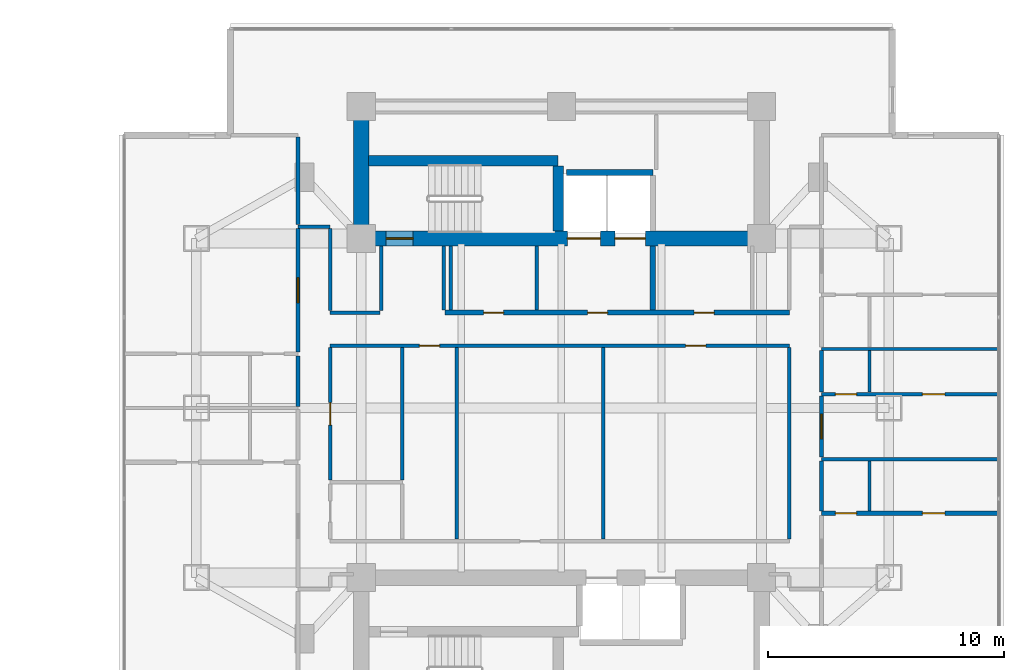
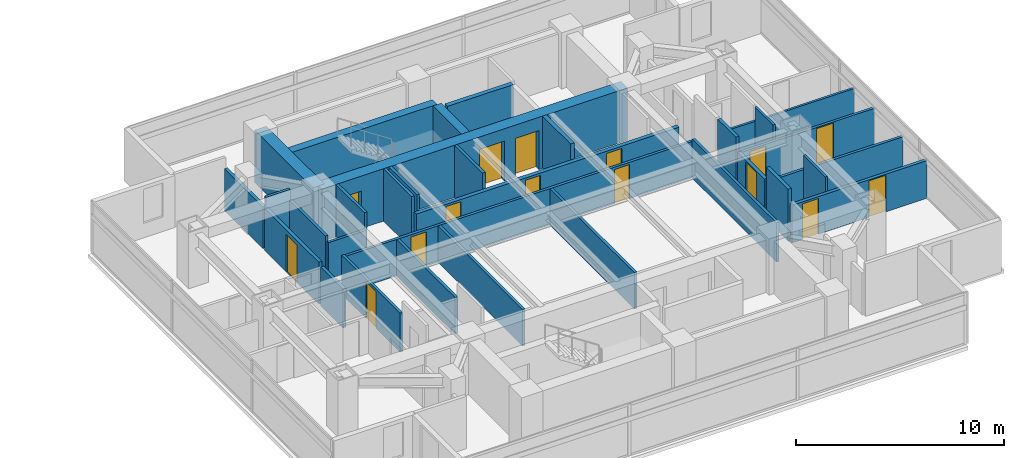
# One storey, part 18 of 26: 32 walls, 15 doors, 15 openings.
"""IFC4 building model written with IfcOpenShell, lengths in metres."""

from ifc_helpers import new_model, si_unit, direction, frame, frame_2d, origin, place, context, subcontext, project, spatial, rectangle, extrude, material, layer, layer_set, type_object, element, fill, save


model = new_model("IFC4")

# Units and contexts
model_context = context("Model", 3, precision=1e-05, world=origin(), true_north=direction((0.0, 1.0)))
body_context = subcontext(model_context, "Body", "Model", "MODEL_VIEW")
ifc_project = project(units=[si_unit("LENGTHUNIT", "METRE"), si_unit("AREAUNIT", "SQUARE_METRE"), si_unit("VOLUMEUNIT", "CUBIC_METRE"), si_unit("PLANEANGLEUNIT", "RADIAN"), si_unit("MASSUNIT", "GRAM", prefix="KILO")], contexts=[model_context])

# Site, building, storey
site_placement = place(None, origin())
site = spatial("IfcSite", under=ifc_project, at=site_placement, CompositionType="ELEMENT")
building_placement = place(site_placement, origin())
building = spatial("IfcBuilding", under=site, at=building_placement, Name="Mirazonda Arch Towers", CompositionType="ELEMENT")
storey_placement = place(building_placement, frame((0.0, 0.0, 108.199951171875)))
storey = spatial("IfcBuildingStorey", under=building, at=storey_placement, Name="L30", CompositionType="ELEMENT", Elevation=108.199951171875)

# Walls
ifc_material_1 = material(Name="Concrete C50/60", Category="concrete")
ifc_layer_1 = layer(ifc_material_1, 0.449951171875, Name="WALL-CORE-450")
ifc_layer_set_1 = layer_set([ifc_layer_1], Name="Concrete C50/60")
wall_type_1 = type_object("IfcWallType", Name="WALL-CORE-450", PredefinedType="SHEAR", material=ifc_layer_set_1)
wall_1_placement = place(storey_placement, frame((68.320068359375, 38.5, 0.0), z_axis=(0.0, 0.0, 1.0), x_axis=(1.0, 0.0, 0.0)))
element("IfcWall", 1, at=wall_1_placement, inside=storey, type_object=wall_type_1, Name="L30 Stair Core Shear Wall 058", PredefinedType="SHEAR", context=body_context, shape_type="SweptSolid", body=[
    extrude(rectangle(XDim=8.0400390625, YDim=0.449951171875, at=frame_2d((4.02001953125, 0.0))), origin(), (0.0, 0.0, 1.0), 3.080078125),
])
wall_2_placement = place(storey_placement, frame((76.360107421875, 35.52001953125, 0.0), z_axis=(0.0, 0.0, 1.0), x_axis=(0.0, 1.0, 0.0)))
element("IfcWall", 2, at=wall_2_placement, inside=storey, type_object=wall_type_1, Name="L30 Stair Core Shear Wall 151", PredefinedType="SHEAR", context=body_context, shape_type="SweptSolid", body=[
    extrude(rectangle(XDim=2.744873046875, YDim=0.449951171875, at=frame_2d((1.37255859375, 0.0))), origin(), (0.0, 0.0, 1.0), 3.080078125),
])
ifc_material_2 = material(Name="Concrete C60/75", Category="concrete")
ifc_layer_2 = layer(ifc_material_2, 0.64990234375, Name="WALL-CORE-650")
ifc_layer_set_2 = layer_set([ifc_layer_2], Name="Concrete C60/75")
wall_type_2 = type_object("IfcWallType", Name="WALL-CORE-650", PredefinedType="SHEAR", material=ifc_layer_set_2)
wall_3_placement = place(storey_placement, frame((68.0, 35.199951171875, 0.0), z_axis=(0.0, 0.0, 1.0), x_axis=(0.0, 1.0, 0.0)))
element("IfcWall", 3, at=wall_3_placement, inside=storey, type_object=wall_type_2, Name="L30 T2N-W Core Shear Wall", PredefinedType="SHEAR", context=body_context, shape_type="SweptSolid", body=[
    extrude(rectangle(XDim=5.60009765625, YDim=0.64990234375, at=frame_2d((2.800048828125, 0.0))), origin(), (0.0, 0.0, 1.0), 3.080078125),
])

# Wall, openings, doors
wall_4_placement = place(storey_placement, frame((68.0, 35.199951171875, 0.0), z_axis=(0.0, 0.0, 1.0), x_axis=(1.0, 0.0, 0.0)))
wall_4 = element("IfcWall", 4, at=wall_4_placement, inside=storey, type_object=wall_type_2, Name="L30 T2N-S Core Shear Wall", PredefinedType="SHEAR", context=body_context, shape_type="SweptSolid", body=[
    extrude(rectangle(XDim=17.0, YDim=0.64990234375, at=frame_2d((8.5, 0.0))), origin(), (0.0, 0.0, 1.0), 3.080078125),
])
opening_1_placement = place(wall_4_placement, frame((1.06005859375, 0.0, 0.0)))
opening_1 = element("IfcOpeningElement", 5, at=opening_1_placement, cuts=wall_4, Name="Opening DR-135", PredefinedType="OPENING", context=body_context, shape_type="SweptSolid", body=[
    extrude(rectangle(XDim=1.14990234375, YDim=2.199951171875, at=frame_2d((0.574951171875, 1.10009765625))), frame((0.0, 0.3349609375, 0.0), z_axis=(0.0, -1.0, 0.0), x_axis=(1.0, 0.0, 0.0)), (0.0, 0.0, 1.0), 0.669921875),
])
opening_2_placement = place(wall_4_placement, frame((8.75, 0.0, 0.0)))
opening_2 = element("IfcOpeningElement", 6, at=opening_2_placement, cuts=wall_4, Name="Opening LD-112", PredefinedType="OPENING", context=body_context, shape_type="SweptSolid", body=[
    extrude(rectangle(XDim=1.39990234375, YDim=2.35009765625, at=frame_2d((0.699951171875, 1.175048828125))), frame((0.0, 0.3349609375, 0.0), z_axis=(0.0, -1.0, 0.0), x_axis=(1.0, 0.0, 0.0)), (0.0, 0.0, 1.0), 0.669921875),
])
opening_3_placement = place(wall_4_placement, frame((10.77001953125, 0.0, 0.0)))
opening_3 = element("IfcOpeningElement", 7, at=opening_3_placement, cuts=wall_4, Name="Opening LD-111", PredefinedType="OPENING", context=body_context, shape_type="SweptSolid", body=[
    extrude(rectangle(XDim=1.300048828125, YDim=2.300048828125, at=frame_2d((0.64990234375, 1.14990234375))), frame((0.0, 0.3349609375, 0.0), z_axis=(0.0, -1.0, 0.0), x_axis=(1.0, 0.0, 0.0)), (0.0, 0.0, 1.0), 0.669921875),
])
ifc_material_3 = material(Name="Architectural Brushed Steel S355", Category="steel")
door_type_1 = type_object("IfcDoorType", Name="DOOR-LIFT-FFL-1400", OperationType="NOTDEFINED", PredefinedType="DOOR", material=ifc_material_3)
door_1_placement = place(opening_2_placement, origin())
door_1 = element("IfcDoor", 8, at=door_1_placement, inside=storey, type_object=door_type_1, Name="L30 Lift Landing Sliding Door FFL-T2", OperationType="DOUBLE_DOOR_SLIDING", OverallHeight=2.35009765625, OverallWidth=1.39990234375, PredefinedType="DOOR", context=body_context, shape_type="SweptSolid", body=[
    extrude(rectangle(XDim=1.39990234375, YDim=2.35009765625, at=frame_2d((0.699951171875, 1.175048828125))), frame((0.0, 0.02490234375, 0.0), z_axis=(0.0, -1.0, 0.0), x_axis=(1.0, 0.0, 0.0)), (0.0, 0.0, 1.0), 0.050048828125),
])
fill(opening_2, door_1)
door_type_2 = type_object("IfcDoorType", Name="DOOR-LIFT-LAND-1300", OperationType="NOTDEFINED", PredefinedType="DOOR", material=ifc_material_3)
door_2_placement = place(opening_3_placement, origin())
door_2 = element("IfcDoor", 9, at=door_2_placement, inside=storey, type_object=door_type_2, Name="L30 Lift Landing Sliding Door SVL-T2", OperationType="DOUBLE_DOOR_SLIDING", OverallHeight=2.300048828125, OverallWidth=1.300048828125, PredefinedType="DOOR", context=body_context, shape_type="SweptSolid", body=[
    extrude(rectangle(XDim=1.300048828125, YDim=2.300048828125, at=frame_2d((0.64990234375, 1.14990234375))), frame((0.0, 0.02490234375, 0.0), z_axis=(0.0, -1.0, 0.0), x_axis=(1.0, 0.0, 0.0)), (0.0, 0.0, 1.0), 0.050048828125),
])
fill(opening_3, door_2)
door_type_3 = type_object("IfcDoorType", Name="DOOR-STAIR-FD90-1150", OperationType="NOTDEFINED", PredefinedType="DOOR", material=ifc_material_3)
door_3_placement = place(opening_1_placement, origin())
door_3 = element("IfcDoor", 10, at=door_3_placement, inside=storey, type_object=door_type_3, Name="L30 East Protected Stair North Door", OperationType="SINGLE_SWING_RIGHT", OverallHeight=2.199951171875, OverallWidth=1.14990234375, PredefinedType="DOOR", context=body_context, shape_type="SweptSolid", body=[
    extrude(rectangle(XDim=1.14990234375, YDim=2.199951171875, at=frame_2d((0.574951171875, 1.10009765625))), frame((0.0, 0.02490234375, 0.0), z_axis=(0.0, -1.0, 0.0), x_axis=(1.0, 0.0, 0.0)), (0.0, 0.0, 1.0), 0.050048828125),
])
fill(opening_1, door_3)

ifc_material_4 = material(Name="Concrete C40/50", Category="concrete")
ifc_layer_3 = layer(ifc_material_4, 0.219970703125, Name="WALL-FFL-220")
ifc_layer_set_3 = layer_set([ifc_layer_3], Name="Concrete C40/50")
wall_type_3 = type_object("IfcWallType", Name="WALL-FFL-220", PredefinedType="SOLIDWALL", material=ifc_layer_set_3)
wall_5_placement = place(storey_placement, frame((71.550048828125, 32.050048828125, 0.0), z_axis=(0.0, 0.0, 1.0), x_axis=(1.0, 0.0, 0.0)))
wall_5 = element("IfcWall", 11, at=wall_5_placement, inside=storey, type_object=wall_type_3, Name="L30 Interior Partition 044", PredefinedType="SOLIDWALL", context=body_context, shape_type="SweptSolid", body=[
    extrude(rectangle(XDim=14.6298828125, YDim=0.219970703125, at=frame_2d((7.31494140625, 0.0))), origin(), (0.0, 0.0, 1.0), 2.14501953125),
])
opening_4_placement = place(wall_5_placement, frame((6.06494140625, 0.0, 0.0)))
opening_4 = element("IfcOpeningElement", 12, at=opening_4_placement, cuts=wall_5, Name="Opening DR-128", PredefinedType="OPENING", context=body_context, shape_type="SweptSolid", body=[
    extrude(rectangle(XDim=0.85009765625, YDim=2.010009765625, at=frame_2d((0.425048828125, 1.0048828125))), frame((0.0, 0.119873046875, 0.0), z_axis=(0.0, -1.0, 0.0), x_axis=(1.0, 0.0, 0.0)), (0.0, 0.0, 1.0), 0.239990234375),
])
opening_5_placement = place(wall_5_placement, frame((10.5849609375, 0.0, 0.0)))
opening_5 = element("IfcOpeningElement", 13, at=opening_5_placement, cuts=wall_5, Name="Opening DR-128", PredefinedType="OPENING", context=body_context, shape_type="SweptSolid", body=[
    extrude(rectangle(XDim=0.85009765625, YDim=2.010009765625, at=frame_2d((0.425048828125, 1.0048828125))), frame((0.0, 0.119873046875, 0.0), z_axis=(0.0, -1.0, 0.0), x_axis=(1.0, 0.0, 0.0)), (0.0, 0.0, 1.0), 0.239990234375),
])
opening_6_placement = place(wall_5_placement, frame((1.64990234375, 0.0, 0.0)))
opening_6 = element("IfcOpeningElement", 14, at=opening_6_placement, cuts=wall_5, Name="Opening DR-128", PredefinedType="OPENING", context=body_context, shape_type="SweptSolid", body=[
    extrude(rectangle(XDim=0.85009765625, YDim=2.010009765625, at=frame_2d((0.425048828125, 1.0048828125))), frame((0.0, 0.119873046875, 0.0), z_axis=(0.0, -1.0, 0.0), x_axis=(1.0, 0.0, 0.0)), (0.0, 0.0, 1.0), 0.239990234375),
])
door_type_4 = type_object("IfcDoorType", Name="DOOR-RISER-FD60-850", OperationType="NOTDEFINED", PredefinedType="DOOR", material=ifc_material_3)
door_4_placement = place(opening_4_placement, origin())
door_4 = element("IfcDoor", 15, at=door_4_placement, inside=storey, type_object=door_type_4, Name="L30 East Firefighting Lift Lobby Door", OperationType="SINGLE_SWING_LEFT", OverallHeight=2.010009765625, OverallWidth=0.85009765625, PredefinedType="DOOR", context=body_context, shape_type="SweptSolid", body=[
    extrude(rectangle(XDim=0.85009765625, YDim=2.010009765625, at=frame_2d((0.425048828125, 1.0048828125))), frame((0.0, 0.02490234375, 0.0), z_axis=(0.0, -1.0, 0.0), x_axis=(1.0, 0.0, 0.0)), (0.0, 0.0, 1.0), 0.050048828125),
])
fill(opening_4, door_4)
door_5_placement = place(opening_5_placement, origin())
door_5 = element("IfcDoor", 16, at=door_5_placement, inside=storey, type_object=door_type_4, Name="L30 East Sky Reading Library Door", OperationType="SINGLE_SWING_RIGHT", OverallHeight=2.010009765625, OverallWidth=0.85009765625, PredefinedType="DOOR", context=body_context, shape_type="SweptSolid", body=[
    extrude(rectangle(XDim=0.85009765625, YDim=2.010009765625, at=frame_2d((0.425048828125, 1.0048828125))), frame((0.0, 0.02490234375, 0.0), z_axis=(0.0, -1.0, 0.0), x_axis=(1.0, 0.0, 0.0)), (0.0, 0.0, 1.0), 0.050048828125),
])
fill(opening_5, door_5)
door_6_placement = place(opening_6_placement, origin())
door_6 = element("IfcDoor", 17, at=door_6_placement, inside=storey, type_object=door_type_4, Name="L30 Tower 2 Housekeeping & Linen Room Door", OperationType="SINGLE_SWING_LEFT", OverallHeight=2.010009765625, OverallWidth=0.85009765625, PredefinedType="DOOR", context=body_context, shape_type="SweptSolid", body=[
    extrude(rectangle(XDim=0.85009765625, YDim=2.010009765625, at=frame_2d((0.425048828125, 1.0048828125))), frame((0.0, 0.02490234375, 0.0), z_axis=(0.0, -1.0, 0.0), x_axis=(1.0, 0.0, 0.0)), (0.0, 0.0, 1.0), 0.050048828125),
])
fill(opening_6, door_6)

# Walls
wall_6_placement = place(storey_placement, frame((80.3798828125, 32.169921875, 0.0), z_axis=(0.0, 0.0, 1.0), x_axis=(0.0, 1.0, 0.0)))
element("IfcWall", 18, at=wall_6_placement, inside=storey, type_object=wall_type_3, Name="L30 Interior Partition 154", PredefinedType="SOLIDWALL", context=body_context, shape_type="SweptSolid", body=[
    extrude(rectangle(XDim=2.7099609375, YDim=0.219970703125, at=frame_2d((1.35498046875, 0.0))), origin(), (0.0, 0.0, 1.0), 3.080078125),
])
ifc_material_5 = material(Name="Fire-Rated Gypsum Stud Partition")
ifc_layer_4 = layer(ifc_material_5, 0.14990234375, Name="WALL-PART-CORR-150")
ifc_layer_set_4 = layer_set([ifc_layer_4], Name="Fire-Rated Gypsum Stud Partition")
wall_type_4 = type_object("IfcWallType", Name="WALL-PART-CORR-150", PredefinedType="PARTITIONING", material=ifc_layer_set_4)
wall_7_placement = place(storey_placement, frame((87.5400390625, 25.833984375, 0.0), z_axis=(0.0, 0.0, 1.0), x_axis=(1.0, 0.0, 0.0)))
element("IfcWall", 19, at=wall_7_placement, inside=storey, type_object=wall_type_4, Name="L30 Interior Partition 032", PredefinedType="PARTITIONING", context=body_context, shape_type="SweptSolid", body=[
    extrude(rectangle(XDim=7.530029296875, YDim=0.14990234375, at=frame_2d((3.76513671875, 0.0))), origin(), (0.0, 0.0, 1.0), 2.216064453125),
])

# Wall, openings, doors
wall_8_placement = place(storey_placement, frame((87.5400390625, 28.587890625, 0.0), z_axis=(0.0, 0.0, 1.0), x_axis=(1.0, 0.0, 0.0)))
wall_8 = element("IfcWall", 20, at=wall_8_placement, inside=storey, type_object=wall_type_4, Name="L30 Interior Partition 038", PredefinedType="PARTITIONING", context=body_context, shape_type="SweptSolid", body=[
    extrude(rectangle(XDim=7.530029296875, YDim=0.14990234375, at=frame_2d((3.76513671875, 0.0))), origin(), (0.0, 0.0, 1.0), 2.216064453125),
])
opening_7_placement = place(wall_8_placement, frame((4.2900390625, 0.0, 0.0)))
opening_7 = element("IfcOpeningElement", 21, at=opening_7_placement, cuts=wall_8, Name="Opening DR-104", PredefinedType="OPENING", context=body_context, shape_type="SweptSolid", body=[
    extrude(rectangle(XDim=0.949951171875, YDim=2.14990234375, at=frame_2d((0.47509765625, 1.074951171875))), frame((0.0, 0.0849609375, 0.0), z_axis=(0.0, -1.0, 0.0), x_axis=(1.0, 0.0, 0.0)), (0.0, 0.0, 1.0), 0.169921875),
])
opening_8_placement = place(wall_8_placement, frame((0.590087890625, 0.0, 0.0)))
opening_8 = element("IfcOpeningElement", 22, at=opening_8_placement, cuts=wall_8, Name="Opening DR-120", PredefinedType="OPENING", context=body_context, shape_type="SweptSolid", body=[
    extrude(rectangle(XDim=0.89990234375, YDim=2.10009765625, at=frame_2d((0.449951171875, 1.050048828125))), frame((0.0, 0.0849609375, 0.0), z_axis=(0.0, -1.0, 0.0), x_axis=(1.0, 0.0, 0.0)), (0.0, 0.0, 1.0), 0.169921875),
])
door_type_5 = type_object("IfcDoorType", Name="DOOR-ROOM-950", OperationType="NOTDEFINED", PredefinedType="DOOR", material=ifc_material_3)
door_7_placement = place(opening_7_placement, origin())
door_7 = element("IfcDoor", 23, at=door_7_placement, inside=storey, type_object=door_type_5, Name="L30 Guestroom Study 2 Door", OperationType="SINGLE_SWING_RIGHT", OverallHeight=2.14990234375, OverallWidth=0.949951171875, PredefinedType="DOOR", context=body_context, shape_type="SweptSolid", body=[
    extrude(rectangle(XDim=0.949951171875, YDim=2.14990234375, at=frame_2d((0.47509765625, 1.074951171875))), frame((0.0, 0.02490234375, 0.0), z_axis=(0.0, -1.0, 0.0), x_axis=(1.0, 0.0, 0.0)), (0.0, 0.0, 1.0), 0.050048828125),
])
fill(opening_7, door_7)
door_type_6 = type_object("IfcDoorType", Name="DOOR-WC-900", OperationType="NOTDEFINED", PredefinedType="DOOR", material=ifc_material_3)
door_8_placement = place(opening_8_placement, origin())
door_8 = element("IfcDoor", 24, at=door_8_placement, inside=storey, type_object=door_type_6, Name="L30 En-Suite Bathroom 2 Door", OperationType="SINGLE_SWING_LEFT", OverallHeight=2.10009765625, OverallWidth=0.89990234375, PredefinedType="DOOR", context=body_context, shape_type="SweptSolid", body=[
    extrude(rectangle(XDim=0.89990234375, YDim=2.10009765625, at=frame_2d((0.449951171875, 1.050048828125))), frame((0.0, 0.02490234375, 0.0), z_axis=(0.0, -1.0, 0.0), x_axis=(1.0, 0.0, 0.0)), (0.0, 0.0, 1.0), 0.050048828125),
])
fill(opening_8, door_8)

wall_9_placement = place(storey_placement, frame((66.679931640625, 30.64990234375, 0.0), z_axis=(0.0, 0.0, 1.0), x_axis=(1.0, 0.0, 0.0)))
wall_9 = element("IfcWall", 25, at=wall_9_placement, inside=storey, type_object=wall_type_4, Name="L30 Interior Partition 041", PredefinedType="PARTITIONING", context=body_context, shape_type="SweptSolid", body=[
    extrude(rectangle(XDim=19.5, YDim=0.14990234375, at=frame_2d((9.75, 0.0))), origin(), (0.0, 0.0, 1.0), 2.14501953125),
])
opening_9_placement = place(wall_9_placement, frame((3.794921875, 0.0, 0.0)))
opening_9 = element("IfcOpeningElement", 26, at=opening_9_placement, cuts=wall_9, Name="Opening DR-128", PredefinedType="OPENING", context=body_context, shape_type="SweptSolid", body=[
    extrude(rectangle(XDim=0.85009765625, YDim=2.010009765625, at=frame_2d((0.425048828125, 1.0048828125))), frame((0.0, 0.0849609375, 0.0), z_axis=(0.0, -1.0, 0.0), x_axis=(1.0, 0.0, 0.0)), (0.0, 0.0, 1.0), 0.169921875),
])
opening_10_placement = place(wall_9_placement, frame((15.098388671875, 0.0, 0.0)))
opening_10 = element("IfcOpeningElement", 27, at=opening_10_placement, cuts=wall_9, Name="Opening DR-128", PredefinedType="OPENING", context=body_context, shape_type="SweptSolid", body=[
    extrude(rectangle(XDim=0.85009765625, YDim=2.010009765625, at=frame_2d((0.425048828125, 1.0048828125))), frame((0.0, 0.0849609375, 0.0), z_axis=(0.0, -1.0, 0.0), x_axis=(1.0, 0.0, 0.0)), (0.0, 0.0, 1.0), 0.169921875),
])
door_9_placement = place(opening_9_placement, origin())
door_9 = element("IfcDoor", 28, at=door_9_placement, inside=storey, type_object=door_type_4, Name="L30 L30 East Courtyard Study Door", OperationType="SINGLE_SWING_RIGHT", OverallHeight=2.010009765625, OverallWidth=0.85009765625, PredefinedType="DOOR", context=body_context, shape_type="SweptSolid", body=[
    extrude(rectangle(XDim=0.85009765625, YDim=2.010009765625, at=frame_2d((0.425048828125, 1.0048828125))), frame((0.0, 0.02490234375, 0.0), z_axis=(0.0, -1.0, 0.0), x_axis=(1.0, 0.0, 0.0)), (0.0, 0.0, 1.0), 0.050048828125),
])
fill(opening_9, door_9)
door_10_placement = place(opening_10_placement, origin())
door_10 = element("IfcDoor", 29, at=door_10_placement, inside=storey, type_object=door_type_4, Name="L30 Business Reading Study Door", OperationType="SINGLE_SWING_RIGHT", OverallHeight=2.010009765625, OverallWidth=0.85009765625, PredefinedType="DOOR", context=body_context, shape_type="SweptSolid", body=[
    extrude(rectangle(XDim=0.85009765625, YDim=2.010009765625, at=frame_2d((0.425048828125, 1.0048828125))), frame((0.0, 0.02490234375, 0.0), z_axis=(0.0, -1.0, 0.0), x_axis=(1.0, 0.0, 0.0)), (0.0, 0.0, 1.0), 0.050048828125),
])
fill(opening_10, door_10)

# Walls
wall_10_placement = place(storey_placement, frame((66.679931640625, 32.050048828125, 0.0), z_axis=(0.0, 0.0, 1.0), x_axis=(1.0, 0.0, 0.0)))
element("IfcWall", 30, at=wall_10_placement, inside=storey, type_object=wall_type_4, Name="L30 Interior Partition 043", PredefinedType="PARTITIONING", context=body_context, shape_type="SweptSolid", body=[
    extrude(rectangle(XDim=2.1201171875, YDim=0.14990234375, at=frame_2d((1.06005859375, 0.0))), origin(), (0.0, 0.0, 1.0), 2.14501953125),
])
wall_11_placement = place(storey_placement, frame((65.320068359375, 35.699951171875, 0.0), z_axis=(0.0, 0.0, 1.0), x_axis=(1.0, 0.0, 0.0)))
element("IfcWall", 31, at=wall_11_placement, inside=storey, type_object=wall_type_4, Name="L30 Interior Partition 054", PredefinedType="PARTITIONING", context=body_context, shape_type="SweptSolid", body=[
    extrude(rectangle(XDim=1.35986328125, YDim=0.14990234375, at=frame_2d((0.679931640625, 0.0))), origin(), (0.0, 0.0, 1.0), 3.080078125),
])

# Wall, opening, door
wall_12_placement = place(storey_placement, frame((66.679931640625, 24.93505859375, 0.0), z_axis=(0.0, 0.0, 1.0), x_axis=(0.0, 1.0, 0.0)))
wall_12 = element("IfcWall", 32, at=wall_12_placement, inside=storey, type_object=wall_type_4, Name="L30 Interior Partition 141", PredefinedType="PARTITIONING", context=body_context, shape_type="SweptSolid", body=[
    extrude(rectangle(XDim=5.6298828125, YDim=0.14990234375, at=frame_2d((2.81494140625, 0.0))), origin(), (0.0, 0.0, 1.0), 2.299072265625),
])
opening_11_placement = place(wall_12_placement, frame((2.340087890625, 0.0, 0.0)))
opening_11 = element("IfcOpeningElement", 33, at=opening_11_placement, cuts=wall_12, Name="Opening DR-104", PredefinedType="OPENING", context=body_context, shape_type="SweptSolid", body=[
    extrude(rectangle(XDim=0.949951171875, YDim=2.14990234375, at=frame_2d((0.47509765625, 1.074951171875))), frame((0.0, 0.0849609375, 0.0), z_axis=(0.0, -1.0, 0.0), x_axis=(1.0, 0.0, 0.0)), (0.0, 0.0, 1.0), 0.169921875),
])
door_11_placement = place(opening_11_placement, origin())
door_11 = element("IfcDoor", 34, at=door_11_placement, inside=storey, type_object=door_type_5, Name="L30 L30 East Courtyard Reading Study Door", OperationType="SINGLE_SWING_LEFT", OverallHeight=2.14990234375, OverallWidth=0.949951171875, PredefinedType="DOOR", context=body_context, shape_type="SweptSolid", body=[
    extrude(rectangle(XDim=0.949951171875, YDim=2.14990234375, at=frame_2d((0.47509765625, 1.074951171875))), frame((0.0, 0.02490234375, 0.0), z_axis=(0.0, -1.0, 0.0), x_axis=(1.0, 0.0, 0.0)), (0.0, 0.0, 1.0), 0.050048828125),
])
fill(opening_11, door_11)

# Walls
wall_13_placement = place(storey_placement, frame((66.679931640625, 32.135009765625, 0.0), z_axis=(0.0, 0.0, 1.0), x_axis=(0.0, 1.0, 0.0)))
element("IfcWall", 35, at=wall_13_placement, inside=storey, type_object=wall_type_4, Name="L30 Interior Partition 142", PredefinedType="PARTITIONING", context=body_context, shape_type="SweptSolid", body=[
    extrude(rectangle(XDim=3.47998046875, YDim=0.14990234375, at=frame_2d((1.739990234375, 0.0))), origin(), (0.0, 0.0, 1.0), 2.47216796875),
])
wall_14_placement = place(storey_placement, frame((68.85009765625, 32.135009765625, 0.0), z_axis=(0.0, 0.0, 1.0), x_axis=(0.0, 1.0, 0.0)))
element("IfcWall", 36, at=wall_14_placement, inside=storey, type_object=wall_type_4, Name="L30 Interior Partition 143", PredefinedType="PARTITIONING", context=body_context, shape_type="SweptSolid", body=[
    extrude(rectangle(XDim=2.744873046875, YDim=0.14990234375, at=frame_2d((1.37255859375, 0.0))), origin(), (0.0, 0.0, 1.0), 3.080078125),
])
wall_15_placement = place(storey_placement, frame((69.743408203125, 24.93505859375, 0.0), z_axis=(0.0, 0.0, 1.0), x_axis=(0.0, 1.0, 0.0)))
element("IfcWall", 37, at=wall_15_placement, inside=storey, type_object=wall_type_4, Name="L30 Interior Partition 145", PredefinedType="PARTITIONING", context=body_context, shape_type="SweptSolid", body=[
    extrude(rectangle(XDim=5.6298828125, YDim=0.14990234375, at=frame_2d((2.81494140625, 0.0))), origin(), (0.0, 0.0, 1.0), 2.14501953125),
])
for number, where, z_axis, x_axis, name in (
    (38, (71.5, 32.169921875, 0.0), (0.0, 0.0, 1.0), (0.0, 1.0, 0.0), "L30 Interior Partition 146"),
    (39, (71.800048828125, 32.169921875, 0.0), (0.0, 0.0, 1.0), (0.0, 1.0, 0.0), "L30 Interior Partition 147"),
):
    element("IfcWall", number, at=place(storey_placement, frame(where, z_axis=z_axis, x_axis=x_axis)), inside=storey, type_object=wall_type_4, Name=name, PredefinedType="PARTITIONING", context=body_context, shape_type="SweptSolid", body=[
        extrude(rectangle(XDim=2.7099609375, YDim=0.14990234375, at=frame_2d((1.35498046875, 0.0))), origin(), (0.0, 0.0, 1.0), 3.080078125),
    ])
wall_16_placement = place(storey_placement, frame((72.050048828125, 22.43505859375, 0.0), z_axis=(0.0, 0.0, 1.0), x_axis=(0.0, 1.0, 0.0)))
element("IfcWall", 40, at=wall_16_placement, inside=storey, type_object=wall_type_4, Name="L30 Interior Partition 148", PredefinedType="PARTITIONING", context=body_context, shape_type="SweptSolid", body=[
    extrude(rectangle(XDim=8.1298828125, YDim=0.14990234375, at=frame_2d((4.06494140625, 0.0))), origin(), (0.0, 0.0, 1.0), 2.14501953125),
])
wall_17_placement = place(storey_placement, frame((75.449951171875, 32.169921875, 0.0), z_axis=(0.0, 0.0, 1.0), x_axis=(0.0, 1.0, 0.0)))
element("IfcWall", 41, at=wall_17_placement, inside=storey, type_object=wall_type_4, Name="L30 Interior Partition 149", PredefinedType="PARTITIONING", context=body_context, shape_type="SweptSolid", body=[
    extrude(rectangle(XDim=2.7099609375, YDim=0.14990234375, at=frame_2d((1.35498046875, 0.0))), origin(), (0.0, 0.0, 1.0), 3.080078125),
])
wall_18_placement = place(storey_placement, frame((78.26708984375, 22.43505859375, 0.0), z_axis=(0.0, 0.0, 1.0), x_axis=(0.0, 1.0, 0.0)))
element("IfcWall", 42, at=wall_18_placement, inside=storey, type_object=wall_type_4, Name="L30 Interior Partition 153", PredefinedType="PARTITIONING", context=body_context, shape_type="SweptSolid", body=[
    extrude(rectangle(XDim=8.1298828125, YDim=0.14990234375, at=frame_2d((4.06494140625, 0.0))), origin(), (0.0, 0.0, 1.0), 2.14501953125),
])
wall_19_placement = place(storey_placement, frame((86.179931640625, 22.43505859375, 0.0), z_axis=(0.0, 0.0, 1.0), x_axis=(0.0, 1.0, 0.0)))
element("IfcWall", 43, at=wall_19_placement, inside=storey, type_object=wall_type_4, Name="L30 Interior Partition 160", PredefinedType="PARTITIONING", context=body_context, shape_type="SweptSolid", body=[
    extrude(rectangle(XDim=8.1298828125, YDim=0.14990234375, at=frame_2d((4.06494140625, 0.0))), origin(), (0.0, 0.0, 1.0), 2.299072265625),
])

# Wall, openings, doors
ifc_material_6 = material(Name="Fire-Rated Gypsum Twin-Stud Assembly")
ifc_layer_5 = layer(ifc_material_6, 0.179931640625, Name="WALL-PART-DEMISE-180")
ifc_layer_set_5 = layer_set([ifc_layer_5], Name="Fire-Rated Gypsum Twin-Stud Assembly")
wall_type_5 = type_object("IfcWallType", Name="WALL-PART-DEMISE-180", PredefinedType="PARTITIONING", material=ifc_layer_set_5)
wall_20_placement = place(storey_placement, frame((87.5400390625, 23.533935546875, 0.0), z_axis=(0.0, 0.0, 1.0), x_axis=(1.0, 0.0, 0.0)))
wall_20 = element("IfcWall", 44, at=wall_20_placement, inside=storey, type_object=wall_type_5, Name="L30 Interior Partition 026", PredefinedType="PARTITIONING", context=body_context, shape_type="SweptSolid", body=[
    extrude(rectangle(XDim=7.530029296875, YDim=0.179931640625, at=frame_2d((3.76513671875, 0.0))), origin(), (0.0, 0.0, 1.0), 2.216064453125),
])
opening_12_placement = place(wall_20_placement, frame((4.2900390625, 0.0, 0.0)))
opening_12 = element("IfcOpeningElement", 45, at=opening_12_placement, cuts=wall_20, Name="Opening DR-104", PredefinedType="OPENING", context=body_context, shape_type="SweptSolid", body=[
    extrude(rectangle(XDim=0.949951171875, YDim=2.14990234375, at=frame_2d((0.47509765625, 1.074951171875))), frame((0.0, 0.099853515625, 0.0), z_axis=(0.0, -1.0, 0.0), x_axis=(1.0, 0.0, 0.0)), (0.0, 0.0, 1.0), 0.199951171875),
])
opening_13_placement = place(wall_20_placement, frame((0.590087890625, 0.0, 0.0)))
opening_13 = element("IfcOpeningElement", 46, at=opening_13_placement, cuts=wall_20, Name="Opening DR-120", PredefinedType="OPENING", context=body_context, shape_type="SweptSolid", body=[
    extrude(rectangle(XDim=0.89990234375, YDim=2.10009765625, at=frame_2d((0.449951171875, 1.050048828125))), frame((0.0, 0.099853515625, 0.0), z_axis=(0.0, -1.0, 0.0), x_axis=(1.0, 0.0, 0.0)), (0.0, 0.0, 1.0), 0.199951171875),
])
door_12_placement = place(opening_12_placement, origin())
door_12 = element("IfcDoor", 47, at=door_12_placement, inside=storey, type_object=door_type_5, Name="L30 Guestroom Study 1 Door", OperationType="SINGLE_SWING_LEFT", OverallHeight=2.14990234375, OverallWidth=0.949951171875, PredefinedType="DOOR", context=body_context, shape_type="SweptSolid", body=[
    extrude(rectangle(XDim=0.949951171875, YDim=2.14990234375, at=frame_2d((0.47509765625, 1.074951171875))), frame((0.0, 0.02490234375, 0.0), z_axis=(0.0, -1.0, 0.0), x_axis=(1.0, 0.0, 0.0)), (0.0, 0.0, 1.0), 0.050048828125),
])
fill(opening_12, door_12)
door_13_placement = place(opening_13_placement, origin())
door_13 = element("IfcDoor", 48, at=door_13_placement, inside=storey, type_object=door_type_6, Name="L30 En-Suite Bathroom 1 Door", OperationType="SINGLE_SWING_RIGHT", OverallHeight=2.10009765625, OverallWidth=0.89990234375, PredefinedType="DOOR", context=body_context, shape_type="SweptSolid", body=[
    extrude(rectangle(XDim=0.89990234375, YDim=2.10009765625, at=frame_2d((0.449951171875, 1.050048828125))), frame((0.0, 0.02490234375, 0.0), z_axis=(0.0, -1.0, 0.0), x_axis=(1.0, 0.0, 0.0)), (0.0, 0.0, 1.0), 0.050048828125),
])
fill(opening_13, door_13)

# Wall
wall_21_placement = place(storey_placement, frame((65.320068359375, 28.072509765625, 0.0), z_axis=(0.0, 0.0, 1.0), x_axis=(0.0, 1.0, 0.0)))
element("IfcWall", 49, at=wall_21_placement, inside=storey, type_object=wall_type_5, Name="L30 Interior Partition 136", PredefinedType="PARTITIONING", context=body_context, shape_type="SweptSolid", body=[
    extrude(rectangle(XDim=2.142578125, YDim=0.179931640625, at=frame_2d((1.0712890625, 0.0))), origin(), (0.0, 0.0, 1.0), 2.299072265625),
])

# Wall, opening, door
wall_22_placement = place(storey_placement, frame((65.320068359375, 30.385009765625, 0.0), z_axis=(0.0, 0.0, 1.0), x_axis=(0.0, 1.0, 0.0)))
wall_22 = element("IfcWall", 50, at=wall_22_placement, inside=storey, type_object=wall_type_5, Name="L30 Interior Partition 137", PredefinedType="PARTITIONING", context=body_context, shape_type="SweptSolid", body=[
    extrude(rectangle(XDim=5.22998046875, YDim=0.179931640625, at=frame_2d((2.614990234375, 0.0))), origin(), (0.0, 0.0, 1.0), 2.47216796875),
])
opening_14_placement = place(wall_22_placement, frame((2.090087890625, 0.0, 0.0)))
opening_14 = element("IfcOpeningElement", 51, at=opening_14_placement, cuts=wall_22, Name="Opening DR-121", PredefinedType="OPENING", context=body_context, shape_type="SweptSolid", body=[
    extrude(rectangle(XDim=1.050048828125, YDim=2.199951171875, at=frame_2d((0.52490234375, 1.10009765625))), frame((0.0, 0.099853515625, 0.0), z_axis=(0.0, -1.0, 0.0), x_axis=(1.0, 0.0, 0.0)), (0.0, 0.0, 1.0), 0.199951171875),
])
door_type_7 = type_object("IfcDoorType", Name="DOOR-SUITE-FD60-1050", OperationType="NOTDEFINED", PredefinedType="DOOR", material=ifc_material_3)
door_14_placement = place(opening_14_placement, origin())
door_14 = element("IfcDoor", 52, at=door_14_placement, inside=storey, type_object=door_type_7, Name="L30 Twin Hotel Guestroom 2 Door", OperationType="SINGLE_SWING_LEFT", OverallHeight=2.199951171875, OverallWidth=1.050048828125, PredefinedType="DOOR", context=body_context, shape_type="SweptSolid", body=[
    extrude(rectangle(XDim=1.050048828125, YDim=2.199951171875, at=frame_2d((0.52490234375, 1.10009765625))), frame((0.0, 0.02490234375, 0.0), z_axis=(0.0, -1.0, 0.0), x_axis=(1.0, 0.0, 0.0)), (0.0, 0.0, 1.0), 0.050048828125),
])
fill(opening_14, door_14)

# Walls
wall_23_placement = place(storey_placement, frame((65.320068359375, 35.784912109375, 0.0), z_axis=(0.0, 0.0, 1.0), x_axis=(0.0, 1.0, 0.0)))
element("IfcWall", 53, at=wall_23_placement, inside=storey, type_object=wall_type_5, Name="L30 Interior Partition 138", PredefinedType="PARTITIONING", context=body_context, shape_type="SweptSolid", body=[
    extrude(rectangle(XDim=3.711181640625, YDim=0.179931640625, at=frame_2d((1.85546875, 0.0))), origin(), (0.0, 0.0, 1.0), 2.4560546875),
])
wall_24_placement = place(storey_placement, frame((87.5400390625, 23.634033203125, 0.0), z_axis=(0.0, 0.0, 1.0), x_axis=(0.0, 1.0, 0.0)))
element("IfcWall", 54, at=wall_24_placement, inside=storey, type_object=wall_type_5, Name="L30 Interior Partition 164", PredefinedType="PARTITIONING", context=body_context, shape_type="SweptSolid", body=[
    extrude(rectangle(XDim=2.114990234375, YDim=0.179931640625, at=frame_2d((1.0576171875, 0.0))), origin(), (0.0, 0.0, 1.0), 3.080078125),
])

# Wall, opening, door
wall_25_placement = place(storey_placement, frame((87.5400390625, 25.9189453125, 0.0), z_axis=(0.0, 0.0, 1.0), x_axis=(0.0, 1.0, 0.0)))
wall_25 = element("IfcWall", 55, at=wall_25_placement, inside=storey, type_object=wall_type_5, Name="L30 Interior Partition 165", PredefinedType="PARTITIONING", context=body_context, shape_type="SweptSolid", body=[
    extrude(rectangle(XDim=2.583984375, YDim=0.179931640625, at=frame_2d((1.2919921875, 0.0))), origin(), (0.0, 0.0, 1.0), 2.299072265625),
])
opening_15_placement = place(wall_25_placement, frame((0.76708984375, 0.0, 0.0)))
opening_15 = element("IfcOpeningElement", 56, at=opening_15_placement, cuts=wall_25, Name="Opening DR-121", PredefinedType="OPENING", context=body_context, shape_type="SweptSolid", body=[
    extrude(rectangle(XDim=1.050048828125, YDim=2.199951171875, at=frame_2d((0.52490234375, 1.10009765625))), frame((0.0, 0.099853515625, 0.0), z_axis=(0.0, -1.0, 0.0), x_axis=(1.0, 0.0, 0.0)), (0.0, 0.0, 1.0), 0.199951171875),
])
door_15_placement = place(opening_15_placement, origin())
door_15 = element("IfcDoor", 57, at=door_15_placement, inside=storey, type_object=door_type_7, Name="L30 Twin Hotel Guestroom 2 Door", OperationType="SINGLE_SWING_LEFT", OverallHeight=2.199951171875, OverallWidth=1.050048828125, PredefinedType="DOOR", context=body_context, shape_type="SweptSolid", body=[
    extrude(rectangle(XDim=1.050048828125, YDim=2.199951171875, at=frame_2d((0.52490234375, 1.10009765625))), frame((0.0, 0.02490234375, 0.0), z_axis=(0.0, -1.0, 0.0), x_axis=(1.0, 0.0, 0.0)), (0.0, 0.0, 1.0), 0.050048828125),
])
fill(opening_15, door_15)

# Walls
wall_26_placement = place(storey_placement, frame((87.5400390625, 28.673095703125, 0.0), z_axis=(0.0, 0.0, 1.0), x_axis=(0.0, 1.0, 0.0)))
element("IfcWall", 58, at=wall_26_placement, inside=storey, type_object=wall_type_5, Name="L30 Interior Partition 166", PredefinedType="PARTITIONING", context=body_context, shape_type="SweptSolid", body=[
    extrude(rectangle(XDim=1.762451171875, YDim=0.179931640625, at=frame_2d((0.88134765625, 0.0))), origin(), (0.0, 0.0, 1.0), 3.080078125),
])
ifc_material_7 = material(Name="Acoustic Fire-Rated Gypsum Partition")
ifc_layer_6 = layer(ifc_material_7, 0.125, Name="WALL-PART-UNIT-125")
ifc_layer_set_6 = layer_set([ifc_layer_6], Name="Acoustic Fire-Rated Gypsum Partition")
wall_type_6 = type_object("IfcWallType", Name="WALL-PART-UNIT-125", PredefinedType="PARTITIONING", material=ifc_layer_set_6)
wall_27_placement = place(storey_placement, frame((87.5400390625, 30.508056640625, 0.0), z_axis=(0.0, 0.0, 1.0), x_axis=(1.0, 0.0, 0.0)))
element("IfcWall", 59, at=wall_27_placement, inside=storey, type_object=wall_type_6, Name="L30 Interior Partition 042", PredefinedType="PARTITIONING", context=body_context, shape_type="SweptSolid", body=[
    extrude(rectangle(XDim=7.530029296875, YDim=0.125, at=frame_2d((3.76513671875, 0.0))), origin(), (0.0, 0.0, 1.0), 2.216064453125),
])
wall_28_placement = place(storey_placement, frame((89.580078125, 23.634033203125, 0.0), z_axis=(0.0, 0.0, 1.0), x_axis=(0.0, 1.0, 0.0)))
element("IfcWall", 60, at=wall_28_placement, inside=storey, type_object=wall_type_6, Name="L30 Interior Partition 170", PredefinedType="PARTITIONING", context=body_context, shape_type="SweptSolid", body=[
    extrude(rectangle(XDim=2.114990234375, YDim=0.125, at=frame_2d((1.0576171875, 0.0))), origin(), (0.0, 0.0, 1.0), 3.080078125),
])
wall_29_placement = place(storey_placement, frame((89.580078125, 28.673095703125, 0.0), z_axis=(0.0, 0.0, 1.0), x_axis=(0.0, 1.0, 0.0)))
element("IfcWall", 61, at=wall_29_placement, inside=storey, type_object=wall_type_6, Name="L30 Interior Partition 171", PredefinedType="PARTITIONING", context=body_context, shape_type="SweptSolid", body=[
    extrude(rectangle(XDim=1.762451171875, YDim=0.125, at=frame_2d((0.88134765625, 0.0))), origin(), (0.0, 0.0, 1.0), 3.080078125),
])
ifc_layer_7 = layer(ifc_material_4, 0.25, Name="WALL-SHAFT-250")
ifc_layer_set_7 = layer_set([ifc_layer_7], Name="Concrete C40/50")
wall_type_7 = type_object("IfcWallType", Name="WALL-SHAFT-250", PredefinedType="SOLIDWALL", material=ifc_layer_set_7)
wall_30_placement = place(storey_placement, frame((76.719970703125, 38.0, 0.0), z_axis=(0.0, 0.0, 1.0), x_axis=(1.0, 0.0, 0.0)))
element("IfcWall", 62, at=wall_30_placement, inside=storey, type_object=wall_type_7, Name="L30 Interior Partition 057", PredefinedType="SOLIDWALL", context=body_context, shape_type="SweptSolid", body=[
    extrude(rectangle(XDim=3.659912109375, YDim=0.25, at=frame_2d((1.830078125, 0.0))), origin(), (0.0, 0.0, 1.0), 3.080078125),
])

save(model, "model.ifc")
